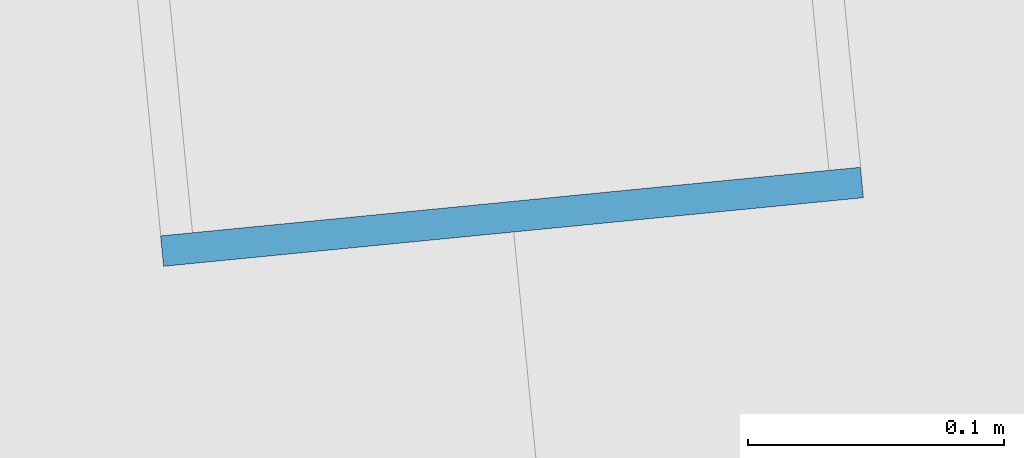
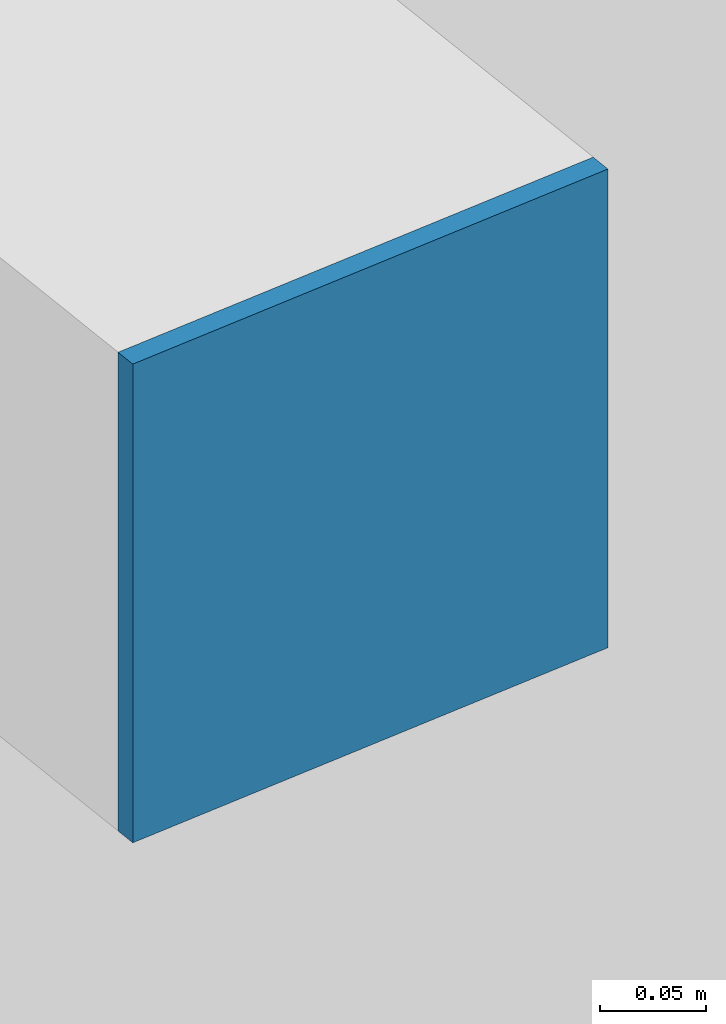
# One storey, part 39 of 53: 1 plate.
"""IFC4 building model written with IfcOpenShell, lengths in metres."""

from ifc_helpers import new_model, si_unit, direction, frame, origin, origin_2d, place, context, subcontext, project, spatial, rectangle, extrude, source, transform, mapped, material, layer, layer_set, type_object, element, save


model = new_model("IFC4")

# Units and contexts
model_context = context("Model", 3, precision=1e-05, world=origin(), true_north=direction((0.0, 1.0)))
body_context = subcontext(model_context, "Body", "Model", "MODEL_VIEW")
ifc_project = project(units=[si_unit("LENGTHUNIT", "METRE"), si_unit("AREAUNIT", "SQUARE_METRE"), si_unit("VOLUMEUNIT", "CUBIC_METRE"), si_unit("PLANEANGLEUNIT", "RADIAN"), si_unit("MASSUNIT", "GRAM", prefix="KILO")], contexts=[model_context])

# Site, building, storey
site_placement = place(None, origin())
site = spatial("IfcSite", under=ifc_project, at=site_placement, CompositionType="ELEMENT")
building_placement = place(site_placement, origin())
building = spatial("IfcBuilding", under=site, at=building_placement, Name="Taldren Reach Tower", CompositionType="ELEMENT")
storey_placement = place(building_placement, frame((0.0, 0.0, 80.85009765625)))
storey = spatial("IfcBuildingStorey", under=building, at=storey_placement, Name="L24", CompositionType="ELEMENT", Elevation=80.85009765625)

# Plate
ifc_material = material(Name="Steel Gr 450 (C450L0)", Category="steel")
ifc_layer = layer(ifc_material, 0.011962890625)
ifc_layer_set = layer_set([ifc_layer], Name="Steel Gr 450 (C450L0)")
plate_type = type_object("IfcPlateType", Name="PL-CAP-275", PredefinedType="SHEET", material=ifc_layer_set)
shared_shape = source(origin(), body_context, "Body", "SweptSolid", [
    extrude(rectangle(XDim=0.27490234375, YDim=0.011962890625, at=origin_2d()), origin(), (0.0, 0.0, 1.0), 0.27490234375),
])
plate_placement = place(storey_placement, frame((34.353515625, 0.2607421875, 2.512451171875), z_axis=(0.0, 0.0, 1.0), x_axis=(0.995227399982, 0.097582899759, 0.0)))
element("IfcPlate", 1, at=plate_placement, inside=storey, type_object=plate_type, Name="Tie strut end cap plate B2-S3 L24", PredefinedType="SHEET", context=body_context, shape_type="MappedRepresentation", body=[
    mapped(shared_shape, transform((0.0, 0.0, 0.0), scale=1.0)),
])

save(model, "model.ifc")
